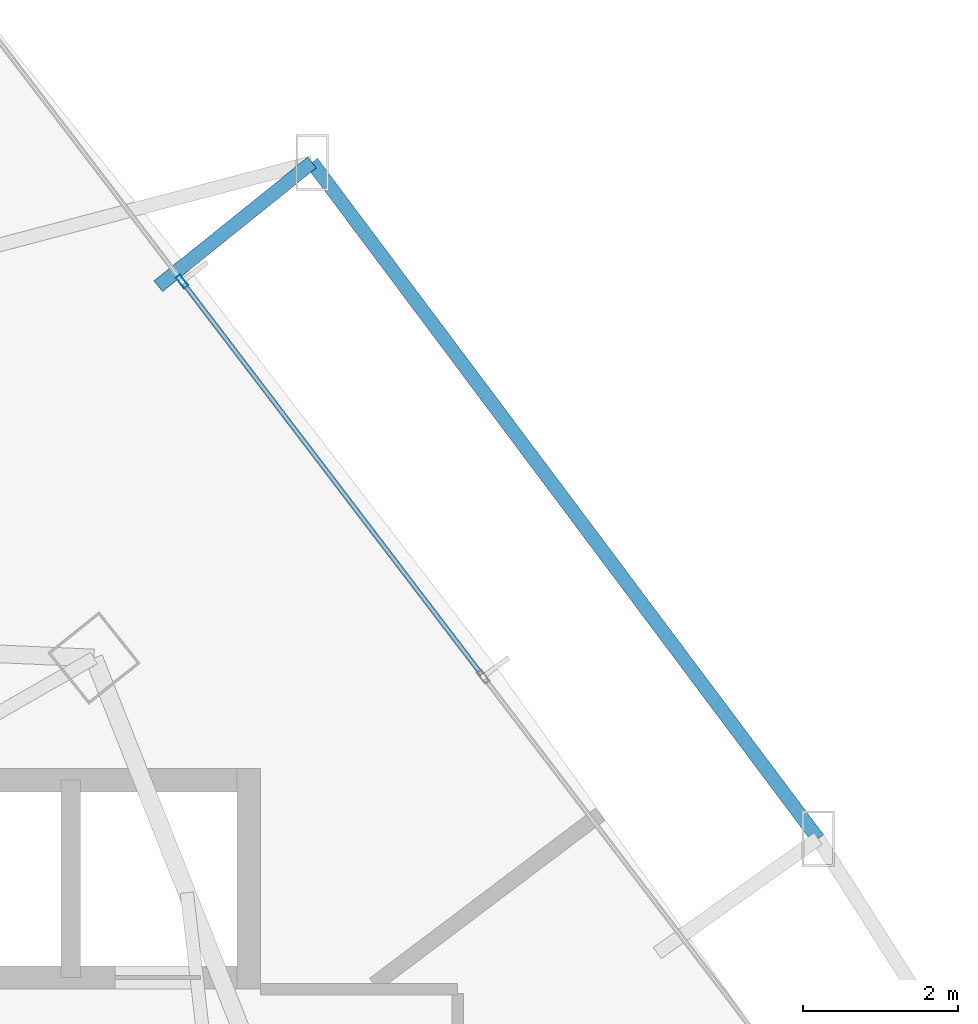
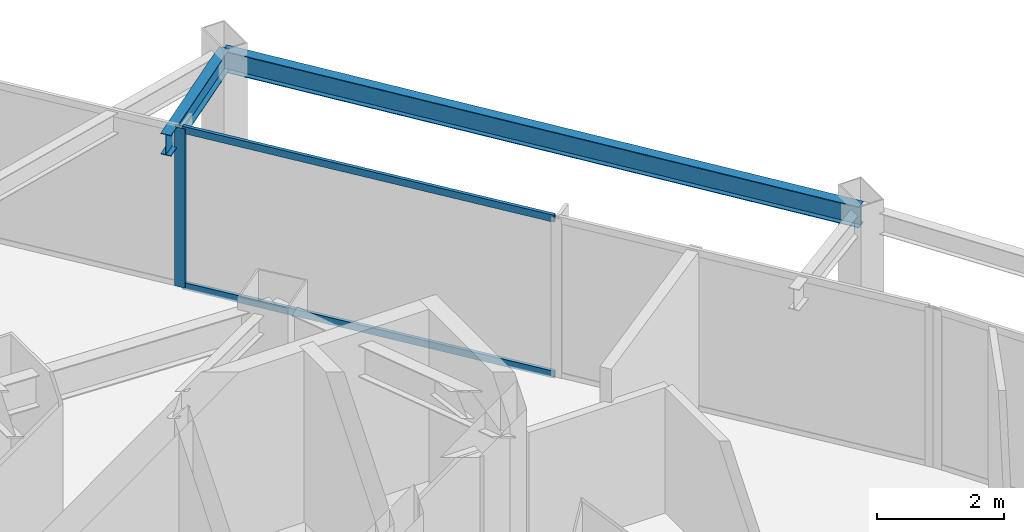
# One storey, part 30 of 38: 3 members, 2 beams, 1 element without a shape of its own.
"""IFC4 building model written with IfcOpenShell, lengths in metres."""

import ifcopenshell
import ifcopenshell.guid

model = None  # the IFC model being written
_history = None  # IfcOwnerHistory: only IFC2X3 demands one
_inside = {}  # id of a spatial element -> (the spatial element, [elements in it])
_under = {}  # id of a project, library or spatial element -> (it, [spatial elements below it])
_declared = {}  # id of a project -> (the project, [libraries it declares])
_typed = {}  # id of a type object -> (the type object, [elements of that type])
_made_of = {}  # id of a material, layer set ... -> (it, [elements and type objects made of it])


def new_model(schema):
    """Start an empty IFC model of exactly this schema.

    Asked for "IFC4X3", IfcOpenShell would pick the latest addendum, in which some entities
    have other attributes; the version numbers below select the first issue.
    IFC2X3 requires an IfcOwnerHistory on every rooted entity: one is made here for all.
    """
    global model, _history
    if schema == "IFC4X3":
        model = ifcopenshell.file(schema_version=(4, 3, 0, 0))
    else:
        model = ifcopenshell.file(schema=schema)
    _inside.clear()
    _under.clear()
    _declared.clear()
    _typed.clear()
    _made_of.clear()
    _history = None
    if model.schema == "IFC2X3":
        org = make("IfcOrganization", Name="unknown")
        user = make(
            "IfcPersonAndOrganization",
            ThePerson=make("IfcPerson", FamilyName="unknown"),
            TheOrganization=org,
        )
        app = make(
            "IfcApplication",
            ApplicationDeveloper=org,
            Version="unknown",
            ApplicationFullName="unknown",
            ApplicationIdentifier="unknown",
        )
        _history = make(
            "IfcOwnerHistory",
            OwningUser=user,
            OwningApplication=app,
            ChangeAction="ADDED",
            CreationDate=0,
        )
    return model


def make(cls, **values):
    """One entity of the class cls with the attributes given. An attribute that is None is left unset."""
    return model.create_entity(
        cls, **{name: value for name, value in values.items() if value is not None}
    )


def rooted(cls, **values):
    """An entity with a GlobalId (a new one), such as an element, a storey or a relation."""
    return make(cls, GlobalId=ifcopenshell.guid.new(), OwnerHistory=_history, **values)


def si_unit(unit_type, name, prefix=None):
    """IfcSIUnit, for example si_unit("LENGTHUNIT", "METRE", prefix="MILLI")."""
    return make("IfcSIUnit", UnitType=unit_type, Prefix=prefix, Name=name)


def assignment(units):
    """IfcUnitAssignment: the units of a project."""
    return None if units is None else make("IfcUnitAssignment", Units=units)


def point(xyz):
    """IfcCartesianPoint."""
    return None if xyz is None else make("IfcCartesianPoint", Coordinates=xyz)


def direction(xyz):
    """IfcDirection."""
    return None if xyz is None else make("IfcDirection", DirectionRatios=xyz)


def frame(location, z_axis=None, x_axis=None):
    """IfcAxis2Placement3D, a coordinate frame: its origin and axes. An axis left out is left unset."""
    return make(
        "IfcAxis2Placement3D",
        Location=point(location),
        Axis=direction(z_axis),
        RefDirection=direction(x_axis),
    )


def frame_2d(location, x_axis=None):
    """IfcAxis2Placement2D, a coordinate frame in the plane: its origin and x axis."""
    return make(
        "IfcAxis2Placement2D", Location=point(location), RefDirection=direction(x_axis)
    )


def origin():
    """The frame at (0, 0, 0) with its axes left unset."""
    return frame((0.0, 0.0, 0.0))


def origin_2d():
    """The frame at (0, 0) in the plane with its x axis left unset."""
    return frame_2d((0.0, 0.0))


def place(relative_to, where):
    """IfcLocalPlacement: puts the frame where relative to a parent placement (None: the world)."""
    return make(
        "IfcLocalPlacement", PlacementRelTo=relative_to, RelativePlacement=where
    )


def context(
    kind, dimensions, precision=None, world=None, true_north=None, identifier=None
):
    """IfcGeometricRepresentationContext, for example the 3D "Model" context."""
    return make(
        "IfcGeometricRepresentationContext",
        ContextIdentifier=identifier,
        ContextType=kind,
        CoordinateSpaceDimension=dimensions,
        Precision=precision,
        WorldCoordinateSystem=world,
        TrueNorth=true_north,
    )


def subcontext(parent, identifier, kind, view, scale=None):
    """IfcGeometricRepresentationSubContext, for example "Body" below "Model"."""
    return make(
        "IfcGeometricRepresentationSubContext",
        ContextIdentifier=identifier,
        ContextType=kind,
        ParentContext=parent,
        TargetScale=scale,
        TargetView=view,
    )


def project(units=None, contexts=None):
    """IfcProject with its units and contexts."""
    return rooted(
        "IfcProject",
        Name="project",
        RepresentationContexts=contexts,
        UnitsInContext=assignment(units),
    )


def spatial(cls, under=None, at=None, **own):
    """A site, building, storey or space (cls), placed at a placement, below another one or the project."""
    s = rooted(cls, ObjectPlacement=at, **own)
    if under is not None:
        _under.setdefault(under.id(), (under, []))[1].append(s)
    return s


def profile(cls, at=None, kind="AREA", **sizes):
    """A parametric profile (cls). Its sizes go by their IFC names, for example OverallWidth=200.0."""
    return make(cls, ProfileType=kind, Position=at, **sizes)


def hollow_rectangle(**sizes):
    """IfcRectangleHollowProfileDef."""
    return profile("IfcRectangleHollowProfileDef", **sizes)


def i_section(**sizes):
    """IfcIShapeProfileDef."""
    return profile("IfcIShapeProfileDef", **sizes)


def extrude(swept, where, along, depth):
    """IfcExtrudedAreaSolid: the profile swept, set in the frame where, extruded along a direction by depth."""
    return make(
        "IfcExtrudedAreaSolid",
        SweptArea=swept,
        Position=where,
        ExtrudedDirection=direction(along),
        Depth=depth,
    )


def shape(context_of_items, identifier, shape_type, items):
    """IfcShapeRepresentation: the items that make up one representation, for example the "Body"."""
    return make(
        "IfcShapeRepresentation",
        ContextOfItems=context_of_items,
        RepresentationIdentifier=identifier,
        RepresentationType=shape_type,
        Items=items,
    )


def material(Name=None, Category=None):
    """IfcMaterial."""
    return make("IfcMaterial", Name=Name, Category=Category)


def layer(
    of_material, thickness, ventilated=None, Name=None, Category=None, Priority=None
):
    """IfcMaterialLayer: one layer of a wall or slab, of a material (None: an air gap)."""
    return make(
        "IfcMaterialLayer",
        Material=of_material,
        LayerThickness=thickness,
        IsVentilated=ventilated,
        Name=Name,
        Category=Category,
        Priority=Priority,
    )


def layer_set(layers, Name=None):
    """IfcMaterialLayerSet."""
    return make("IfcMaterialLayerSet", MaterialLayers=layers, LayerSetName=Name)


def material_profile(
    of_material, cross_section, Name=None, Category=None, Priority=None
):
    """IfcMaterialProfile: a cross section and its material."""
    return make(
        "IfcMaterialProfile",
        Name=Name,
        Material=of_material,
        Profile=cross_section,
        Priority=Priority,
        Category=Category,
    )


def profile_set(profiles, Name=None, composite=None):
    """IfcMaterialProfileSet."""
    return make(
        "IfcMaterialProfileSet",
        Name=Name,
        MaterialProfiles=profiles,
        CompositeProfile=composite,
    )


def made_of(thing, what):
    """Note that an element or type object is made of a material, layer set ...; save() writes the relation."""
    if what is not None:
        _made_of.setdefault(what.id(), (what, []))[1].append(thing)
    return thing


def type_object(cls, material=None, **own):
    """A type object (cls), such as IfcWallType, which elements share."""
    return made_of(rooted(cls, **own), material)


def element(
    cls,
    number,
    at=None,
    inside=None,
    cuts=None,
    type_object=None,
    material=None,
    context=None,
    identifier="Body",
    shape_type=None,
    held_by="IfcProductDefinitionShape",
    body=None,
    shapes=None,
    **own,
):
    """One element of the class cls, such as IfcWall. Its Tag is "e" and its number.

    at: its placement. inside: the storey or other place that contains it. cuts: it is an
    opening in that element (IfcRelVoidsElement). A single representation is given by context,
    identifier, shape_type and body (its items); several are given by shapes. held_by: the class
    of the entity that holds the representations. save() writes the other relations.
    """
    e = rooted(cls, Tag="e%d" % number, ObjectPlacement=at, **own)
    if body is not None:
        shapes = [shape(context, identifier, shape_type, body)]
    if shapes is not None:
        e.Representation = make(held_by, Representations=shapes)
    if inside is not None:
        _inside.setdefault(inside.id(), (inside, []))[1].append(e)
    if cuts is not None:
        rooted(
            "IfcRelVoidsElement", RelatingBuildingElement=cuts, RelatedOpeningElement=e
        )
    if type_object is not None:
        _typed.setdefault(type_object.id(), (type_object, []))[1].append(e)
    return made_of(e, material)


def aggregate(whole, parts):
    """IfcRelAggregates: a whole, such as a stair, and the parts it consists of."""
    return rooted("IfcRelAggregates", RelatingObject=whole, RelatedObjects=parts)


def save(model, path):
    """Write the relations noted so far, then the file.

    IfcRelAggregates (storeys below a building ...), IfcRelContainedInSpatialStructure (elements
    in a storey), IfcRelDefinesByType, IfcRelAssociatesMaterial and IfcRelDeclares: one each for
    every whole, place, type object, material and project.
    """
    for whole, parts in _under.values():
        aggregate(whole, parts)
    for where, things in _inside.values():
        rooted(
            "IfcRelContainedInSpatialStructure",
            RelatedElements=things,
            RelatingStructure=where,
        )
    for kind, things in _typed.values():
        rooted("IfcRelDefinesByType", RelatedObjects=things, RelatingType=kind)
    for what, things in _made_of.values():
        rooted("IfcRelAssociatesMaterial", RelatedObjects=things, RelatingMaterial=what)
    for by, libraries in _declared.values():
        rooted("IfcRelDeclares", RelatingContext=by, RelatedDefinitions=libraries)
    model.write(path)


model = new_model("IFC4")

# Units and contexts
model_context = context("Model", 3, precision=1e-05, world=origin(), true_north=direction((0.0, 1.0)))
body_context = subcontext(model_context, "Body", "Model", "MODEL_VIEW")
ifc_project = project(units=[si_unit("LENGTHUNIT", "METRE"), si_unit("AREAUNIT", "SQUARE_METRE"), si_unit("VOLUMEUNIT", "CUBIC_METRE"), si_unit("PLANEANGLEUNIT", "RADIAN"), si_unit("MASSUNIT", "GRAM", prefix="KILO")], contexts=[model_context])

# Site, building, storey
site_placement = place(None, origin())
site = spatial("IfcSite", under=ifc_project, at=site_placement, CompositionType="ELEMENT")
building_placement = place(site_placement, origin())
building = spatial("IfcBuilding", under=site, at=building_placement, Name="Orvanel Arch Residences", CompositionType="ELEMENT")
storey_placement = place(building_placement, frame((0.0, 0.0, 43.39990234375)))
storey = spatial("IfcBuildingStorey", under=building, at=storey_placement, Name="L11", CompositionType="ELEMENT", Elevation=43.39990234375)

# Curtain wall, member
ifc_material_1 = material(Name="Bronze-anodised aluminium AA6063-T6", Category="aluminium")
ifc_layer = layer(ifc_material_1, 0.179931640625)
ifc_layer_set = layer_set([ifc_layer], Name="Bronze-anodised aluminium AA6063-T6")
curtain_wall_type = type_object("IfcCurtainWallType", Name="CW2-LOW-SYS", PredefinedType="NOTDEFINED", material=ifc_layer_set)
curtain_wall_placement = place(storey_placement, origin())
curtain_wall = element("IfcCurtainWall", 1, at=curtain_wall_placement, inside=storey, type_object=curtain_wall_type, Name="L11 CW2-LOW-SYS Unitised Curtain Wall", PredefinedType="NOTDEFINED")
ifc_material_profile_1 = material_profile(ifc_material_1, hollow_rectangle(XDim=0.070068359375, YDim=0.179931640625, WallThickness=0.00439453125, at=origin_2d()), Name="ALU180x70x4.5")
ifc_profile_set_1 = profile_set([ifc_material_profile_1], Name="Bronze-anodised aluminium AA6063-T6")
member_type_1 = type_object("IfcMemberType", Name="MUL-180x70", PredefinedType="MULLION", material=ifc_profile_set_1)
member_1_placement = place(storey_placement, frame((39.08935546875, 46.044677734375, 0.0), z_axis=(0.0, 0.0, 1.0), x_axis=(-0.795336402585, -0.606168299009, 0.0)))
member_1 = element("IfcMember", 2, at=member_1_placement, type_object=member_type_1, Name="CW-S2 mullion 3", PredefinedType="MULLION", context=body_context, shape_type="SweptSolid", body=[
    extrude(hollow_rectangle(XDim=0.070068359375, YDim=0.179931640625, WallThickness=0.00439453125, at=origin_2d()), origin(), (0.0, 0.0, 1.0), 3.06005859375),
])

# Beams
ifc_material_2 = material(Name="Structural steel AS/NZS 3679.1 Grade 300 (300 MPa)", Category="steel")
ifc_material_profile_2 = material_profile(ifc_material_2, i_section(OverallWidth=0.177978515625, OverallDepth=0.406005859375, WebThickness=0.0078125, FlangeThickness=0.0126953125, at=origin_2d()), Name="410UB59.7")
ifc_profile_set_2 = profile_set([ifc_material_profile_2], Name="Structural steel AS/NZS 3679.1 Grade 300 (300 MPa)")
beam_type = type_object("IfcBeamType", Name="OB-410UB-EXT", PredefinedType="SPANDREL", material=ifc_profile_set_2)
beam_1_placement = place(storey_placement, frame((47.30810546875, 38.843017578125, 2.857177734375), z_axis=(-0.599165834218, 0.800624945343, 0.0), x_axis=(-0.800624945343, -0.599165834218, 0.0)))
element("IfcBeam", 3, at=beam_1_placement, inside=storey, type_object=beam_type, Name="L11 Outer Perimeter Floor Ring Beam 11", PredefinedType="SPANDREL", context=body_context, shape_type="SweptSolid", body=[
    extrude(i_section(OverallWidth=0.177978515625, OverallDepth=0.406005859375, WebThickness=0.0078125, FlangeThickness=0.0126953125, at=origin_2d()), origin(), (0.0, 0.0, 1.0), 10.915283203125),
])
beam_2_placement = place(storey_placement, frame((38.781005859375, 45.98291015625, 2.857177734375), z_axis=(0.779053875715, 0.62695698316, 0.0), x_axis=(-0.62695698316, 0.779053875715, 0.0)))
element("IfcBeam", 4, at=beam_2_placement, inside=storey, type_object=beam_type, Name="L11 Outer Frame Radial Tie Beam 12", PredefinedType="SPANDREL", context=body_context, shape_type="SweptSolid", body=[
    extrude(i_section(OverallWidth=0.177978515625, OverallDepth=0.406005859375, WebThickness=0.0078125, FlangeThickness=0.0126953125, at=origin_2d()), origin(), (0.0, 0.0, 1.0), 2.550537109375),
])

# Member
ifc_material_profile_3 = material_profile(ifc_material_1, hollow_rectangle(XDim=0.06005859375, YDim=0.135009765625, WallThickness=0.00390625, at=origin_2d()), Name="ALU135x60x4")
ifc_profile_set_3 = profile_set([ifc_material_profile_3], Name="Bronze-anodised aluminium AA6063-T6")
member_type_2 = type_object("IfcMemberType", Name="TRN-135x60", PredefinedType="USERDEFINED", material=ifc_profile_set_3)
member_2_placement = place(storey_placement, frame((42.96142578125, 40.964111328125, 0.030029296875), z_axis=(-0.606155521701, 0.795346140691, 0.0), x_axis=(-0.795346140691, -0.606155521701, 0.0)))
member_2 = element("IfcMember", 5, at=member_2_placement, type_object=member_type_2, Name="CW-S2 transom 2.1", ObjectType="TRANSOM", PredefinedType="USERDEFINED", context=body_context, shape_type="SweptSolid", body=[
    extrude(hollow_rectangle(XDim=0.06005859375, YDim=0.135009765625, WallThickness=0.00390625, at=origin_2d()), origin(), (0.0, 0.0, 1.0), 6.352783203125),
])

member_3_placement = place(storey_placement, frame((42.96142578125, 40.964111328125, 3.030029296875), z_axis=(-0.606155521701, 0.795346140691, 0.0), x_axis=(-0.795346140691, -0.606155521701, 0.0)))
member_3 = element("IfcMember", 6, at=member_3_placement, type_object=member_type_2, Name="CW-S2 transom 2.2", ObjectType="TRANSOM", PredefinedType="USERDEFINED", context=body_context, shape_type="SweptSolid", body=[
    extrude(hollow_rectangle(XDim=0.06005859375, YDim=0.135009765625, WallThickness=0.00390625, at=origin_2d()), origin(), (0.0, 0.0, 1.0), 6.352783203125),
])

aggregate(curtain_wall, [member_1, member_2, member_3])

save(model, "model.ifc")
